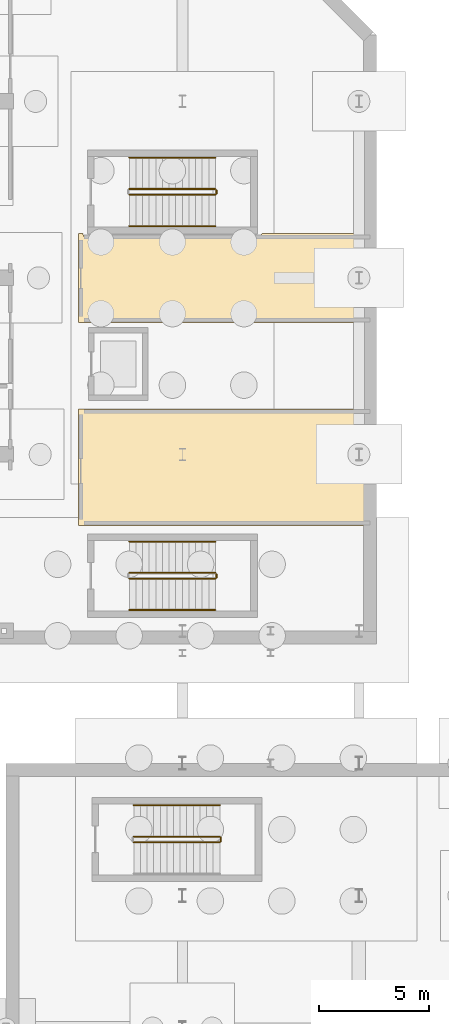
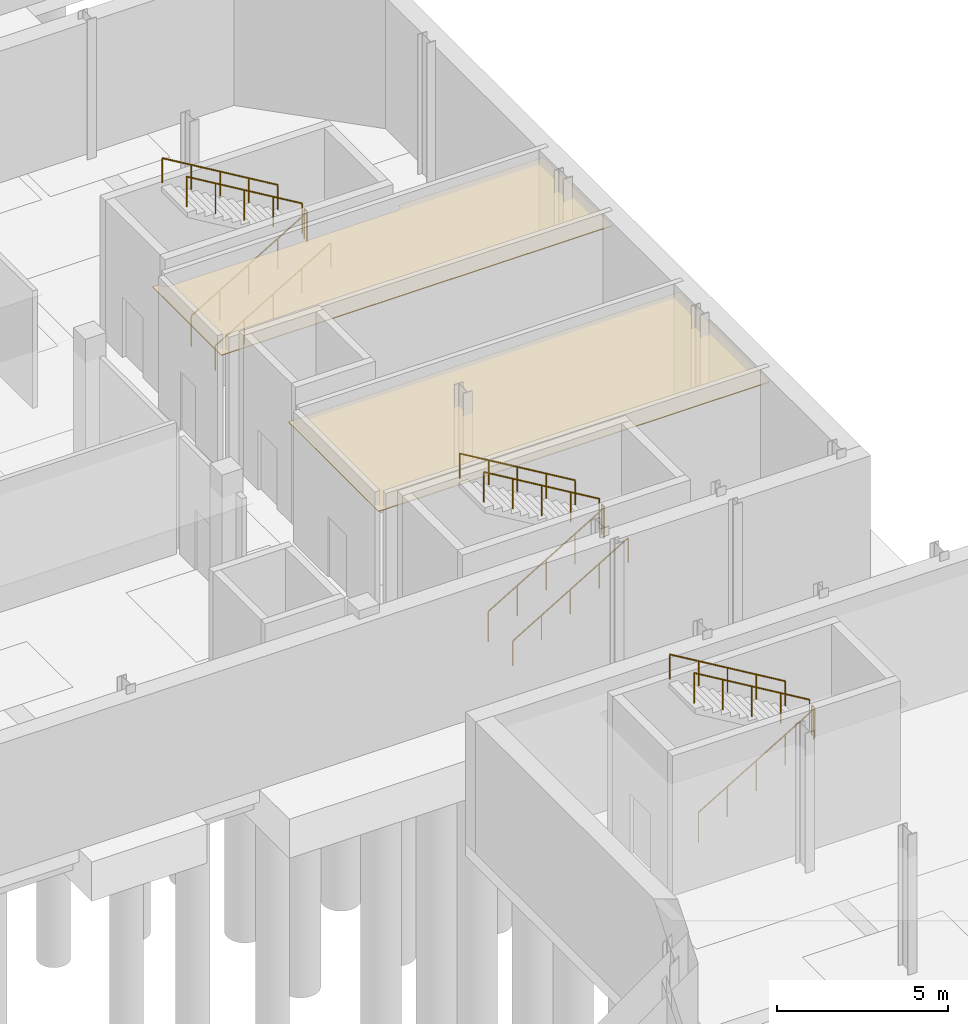
# One storey, part 37 of 47: 14 railings, 2 coverings.
"""IFC4 building model written with IfcOpenShell, lengths in metres."""

from ifc_helpers import new_model, si_unit, direction, frame, origin, origin_2d, place, context, subcontext, project, spatial, polyline, circle, outline, extrude, material, layer, layer_set, type_object, element, save


model = new_model("IFC4")

# Units and contexts
model_context = context("Model", 3, precision=1e-05, world=origin(), true_north=direction((0.0, 1.0)))
body_context = subcontext(model_context, "Body", "Model", "MODEL_VIEW")
ifc_project = project(units=[si_unit("LENGTHUNIT", "METRE"), si_unit("AREAUNIT", "SQUARE_METRE"), si_unit("VOLUMEUNIT", "CUBIC_METRE"), si_unit("PLANEANGLEUNIT", "RADIAN"), si_unit("MASSUNIT", "GRAM", prefix="KILO")], contexts=[model_context])

# Site, building, storey
site_placement = place(None, origin())
site = spatial("IfcSite", under=ifc_project, at=site_placement, CompositionType="ELEMENT")
building_placement = place(site_placement, origin())
building = spatial("IfcBuilding", under=site, at=building_placement, Name="Cymarion Research Institute", CompositionType="ELEMENT")
storey_placement = place(building_placement, frame((0.0, 0.0, -5.0)))
storey = spatial("IfcBuildingStorey", under=building, at=storey_placement, Name="B1", CompositionType="ELEMENT", Elevation=-5.0)

# Coverings
ifc_material_1 = material(Name="Micro-perforated mineral acoustic ceiling tile", Category="gypsum")
ifc_layer = layer(ifc_material_1, 0.030029296875)
ifc_layer_set = layer_set([ifc_layer], Name="Micro-perforated mineral acoustic ceiling tile")
covering_type = type_object("IfcCoveringType", Name="ACOUSTIC MICRO-PERFORATED SUSPENDED CEILING CLG-01", PredefinedType="CEILING", material=ifc_layer_set)
covering_1_placement = place(storey_placement, frame((0.0, 0.0, 4.14990234375)))
element("IfcCovering", 1, at=covering_1_placement, inside=storey, type_object=covering_type, Name="B1 B1 Gas Cabinet & Thin-Film Deposition Laboratory acoustic ceiling", PredefinedType="CEILING", context=body_context, shape_type="SweptSolid", body=[
    extrude(outline(polyline([(47.094970703125, 57.56494140625), (47.094970703125, 52.284912109375), (33.885009765625, 52.284912109375), (33.885009765625, 57.56494140625), (47.094970703125, 57.56494140625)])), origin(), (0.0, 0.0, 1.0), 0.030029296875),
])
covering_2_placement = place(storey_placement, frame((0.0, 0.0, 4.14990234375)))
element("IfcCovering", 2, at=covering_2_placement, inside=storey, type_object=covering_type, Name="B1 B1 Accessible WC and Cleanroom Staff Washrooms acoustic ceiling", PredefinedType="CEILING", context=body_context, shape_type="SweptSolid", body=[
    extrude(outline(polyline([(34.10009765625, 65.514892578125), (34.10009765625, 65.5), (34.10107421875, 65.48046875), (34.103759765625, 65.4609375), (34.108642578125, 65.44189453125), (34.115234375, 65.423583984375), (34.12353515625, 65.40576171875), (34.1337890625, 65.388916015625), (34.1455078125, 65.373046875), (34.15869140625, 65.358642578125), (34.173095703125, 65.345458984375), (34.18896484375, 65.333740234375), (34.205810546875, 65.323486328125), (34.223388671875, 65.315185546875), (34.241943359375, 65.30859375), (34.260986328125, 65.3037109375), (34.280517578125, 65.301025390625), (34.300048828125, 65.300048828125), (42.0, 65.300048828125), (42.01953125, 65.301025390625), (42.0390625, 65.3037109375), (42.05810546875, 65.30859375), (42.076416015625, 65.315185546875), (42.09423828125, 65.323486328125), (42.111083984375, 65.333740234375), (42.126953125, 65.345458984375), (42.141357421875, 65.358642578125), (42.154541015625, 65.373046875), (42.166259765625, 65.388916015625), (42.176513671875, 65.40576171875), (42.184814453125, 65.423583984375), (42.19140625, 65.44189453125), (42.1962890625, 65.4609375), (42.198974609375, 65.48046875), (42.199951171875, 65.5), (42.199951171875, 65.514892578125), (47.094970703125, 65.514892578125), (47.094970703125, 61.485107421875), (33.885009765625, 61.485107421875), (33.885009765625, 65.514892578125), (34.10009765625, 65.514892578125)])), origin(), (0.0, 0.0, 1.0), 0.030029296875),
])

# Railings
ifc_material_2 = material(Name="Steel S355", Category="steel")
railing_type_1 = type_object("IfcRailingType", Name="PAINTED STEEL STAIR GUARDRAIL GR1 1100MM", PredefinedType="GUARDRAIL", material=ifc_material_2)
railing_1_placement = place(storey_placement, frame((36.39990234375, 37.919921875, 0.178466796875)))
element("IfcRailing", 3, at=railing_1_placement, inside=storey, type_object=railing_type_1, Name="B1 ST6 stair guard 1", PredefinedType="GUARDRAIL", context=body_context, shape_type="SweptSolid", body=[
    extrude(circle(Radius=0.02392578125, at=origin_2d()), frame((0.0, 0.0, 1.076171875), z_axis=(0.859291195736, 0.0, 0.511486696729), x_axis=(0.0, 1.0, 0.0)), (0.0, 0.0, 1.0), 4.538818359375),
    extrude(circle(Radius=0.02099609375, at=origin_2d()), origin(), (0.0, 0.0, 1.0), 1.052001953125),
    extrude(circle(Radius=0.02099609375, at=origin_2d()), frame((0.97509765625, 0.0, 0.580322265625)), (0.0, 0.0, 1.0), 1.052001953125),
    extrude(circle(Radius=0.02099609375, at=origin_2d()), frame((1.9501953125, 0.0, 1.16064453125)), (0.0, 0.0, 1.0), 1.052001953125),
    extrude(circle(Radius=0.02099609375, at=origin_2d()), frame((2.925048828125, 0.0, 1.7412109375)), (0.0, 0.0, 1.0), 1.052001953125),
    extrude(circle(Radius=0.02099609375, at=origin_2d()), frame((3.900146484375, 0.0, 2.321533203125)), (0.0, 0.0, 1.0), 1.052001953125),
])
railing_2_placement = place(storey_placement, frame((40.35009765625, 37.969970703125, 2.5)))
element("IfcRailing", 4, at=railing_2_placement, inside=storey, type_object=railing_type_1, Name="B1 ST6 stair guard 2", PredefinedType="GUARDRAIL", context=body_context, shape_type="SweptSolid", body=[
    extrude(circle(Radius=0.02392578125, at=origin_2d()), frame((0.0, 0.0, 1.076171875), z_axis=(0.0, 1.0, 0.0), x_axis=(-1.0, 0.0, 0.0)), (0.0, 0.0, 1.0), 0.159912109375),
    extrude(circle(Radius=0.02099609375, at=origin_2d()), origin(), (0.0, 0.0, 1.0), 1.052001953125),
    extrude(circle(Radius=0.02099609375, at=origin_2d()), frame((0.0, 0.159912109375, 0.0)), (0.0, 0.0, 1.0), 1.052001953125),
])
railing_3_placement = place(storey_placement, frame((40.300048828125, 38.179931640625, 2.678466796875)))
element("IfcRailing", 5, at=railing_3_placement, inside=storey, type_object=railing_type_1, Name="B1 ST6 stair guard 3", PredefinedType="GUARDRAIL", context=body_context, shape_type="SweptSolid", body=[
    extrude(circle(Radius=0.02392578125, at=origin_2d()), frame((0.0, 0.0, 1.076171875), z_axis=(-0.859291195736, 0.0, 0.511486696729), x_axis=(0.0, -1.0, 0.0)), (0.0, 0.0, 1.0), 4.538818359375),
    extrude(circle(Radius=0.02099609375, at=origin_2d()), origin(), (0.0, 0.0, 1.0), 1.052001953125),
    extrude(circle(Radius=0.02099609375, at=origin_2d()), frame((-0.97509765625, 0.0, 0.580322265625)), (0.0, 0.0, 1.0), 1.052001953125),
    extrude(circle(Radius=0.02099609375, at=origin_2d()), frame((-1.9501953125, 0.0, 1.16064453125)), (0.0, 0.0, 1.0), 1.052001953125),
    extrude(circle(Radius=0.02099609375, at=origin_2d()), frame((-2.925048828125, 0.0, 1.7412109375)), (0.0, 0.0, 1.0), 1.052001953125),
    extrude(circle(Radius=0.02099609375, at=origin_2d()), frame((-3.900146484375, 0.0, 2.321533203125)), (0.0, 0.0, 1.0), 1.052001953125),
])
railing_4_placement = place(storey_placement, frame((36.199951171875, 49.8701171875, 0.178466796875)))
element("IfcRailing", 6, at=railing_4_placement, inside=storey, type_object=railing_type_1, Name="B1 ST7 stair guard 1", PredefinedType="GUARDRAIL", context=body_context, shape_type="SweptSolid", body=[
    extrude(circle(Radius=0.02392578125, at=origin_2d()), frame((0.0, 0.0, 1.076171875), z_axis=(0.859291195736, 0.0, 0.511486696729), x_axis=(0.0, 1.0, 0.0)), (0.0, 0.0, 1.0), 4.538818359375),
    extrude(circle(Radius=0.02099609375, at=origin_2d()), origin(), (0.0, 0.0, 1.0), 1.052001953125),
    extrude(circle(Radius=0.02099609375, at=origin_2d()), frame((0.97509765625, 0.0, 0.580322265625)), (0.0, 0.0, 1.0), 1.052001953125),
    extrude(circle(Radius=0.02099609375, at=origin_2d()), frame((1.9501953125, 0.0, 1.16064453125)), (0.0, 0.0, 1.0), 1.052001953125),
    extrude(circle(Radius=0.02099609375, at=origin_2d()), frame((2.925048828125, 0.0, 1.7412109375)), (0.0, 0.0, 1.0), 1.052001953125),
    extrude(circle(Radius=0.02099609375, at=origin_2d()), frame((3.900146484375, 0.0, 2.321533203125)), (0.0, 0.0, 1.0), 1.052001953125),
])
railing_5_placement = place(storey_placement, frame((40.14990234375, 49.919921875, 2.5)))
element("IfcRailing", 7, at=railing_5_placement, inside=storey, type_object=railing_type_1, Name="B1 ST7 stair guard 2", PredefinedType="GUARDRAIL", context=body_context, shape_type="SweptSolid", body=[
    extrude(circle(Radius=0.02392578125, at=origin_2d()), frame((0.0, 0.0, 1.076171875), z_axis=(0.0, 1.0, 0.0), x_axis=(-1.0, 0.0, 0.0)), (0.0, 0.0, 1.0), 0.16015625),
    extrude(circle(Radius=0.02099609375, at=origin_2d()), origin(), (0.0, 0.0, 1.0), 1.052001953125),
    extrude(circle(Radius=0.02099609375, at=origin_2d()), frame((0.0, 0.16015625, 0.0)), (0.0, 0.0, 1.0), 1.052001953125),
])
railing_6_placement = place(storey_placement, frame((40.10009765625, 50.1298828125, 2.678466796875)))
element("IfcRailing", 8, at=railing_6_placement, inside=storey, type_object=railing_type_1, Name="B1 ST7 stair guard 3", PredefinedType="GUARDRAIL", context=body_context, shape_type="SweptSolid", body=[
    extrude(circle(Radius=0.02392578125, at=origin_2d()), frame((0.0, 0.0, 1.076171875), z_axis=(-0.859291195736, 0.0, 0.511486696729), x_axis=(0.0, -1.0, 0.0)), (0.0, 0.0, 1.0), 4.538818359375),
    extrude(circle(Radius=0.02099609375, at=origin_2d()), origin(), (0.0, 0.0, 1.0), 1.052001953125),
    extrude(circle(Radius=0.02099609375, at=origin_2d()), frame((-0.97509765625, 0.0, 0.580322265625)), (0.0, 0.0, 1.0), 1.052001953125),
    extrude(circle(Radius=0.02099609375, at=origin_2d()), frame((-1.9501953125, 0.0, 1.16064453125)), (0.0, 0.0, 1.0), 1.052001953125),
    extrude(circle(Radius=0.02099609375, at=origin_2d()), frame((-2.925048828125, 0.0, 1.7412109375)), (0.0, 0.0, 1.0), 1.052001953125),
    extrude(circle(Radius=0.02099609375, at=origin_2d()), frame((-3.900146484375, 0.0, 2.321533203125)), (0.0, 0.0, 1.0), 1.052001953125),
])
railing_7_placement = place(storey_placement, frame((36.199951171875, 67.27001953125, 0.178466796875)))
element("IfcRailing", 9, at=railing_7_placement, inside=storey, type_object=railing_type_1, Name="B1 ST8 stair guard 1", PredefinedType="GUARDRAIL", context=body_context, shape_type="SweptSolid", body=[
    extrude(circle(Radius=0.02392578125, at=origin_2d()), frame((0.0, 0.0, 1.076171875), z_axis=(0.859291195736, 0.0, 0.511486696729), x_axis=(0.0, 1.0, 0.0)), (0.0, 0.0, 1.0), 4.538818359375),
    extrude(circle(Radius=0.02099609375, at=origin_2d()), origin(), (0.0, 0.0, 1.0), 1.052001953125),
    extrude(circle(Radius=0.02099609375, at=origin_2d()), frame((0.97509765625, 0.0, 0.580322265625)), (0.0, 0.0, 1.0), 1.052001953125),
    extrude(circle(Radius=0.02099609375, at=origin_2d()), frame((1.9501953125, 0.0, 1.16064453125)), (0.0, 0.0, 1.0), 1.052001953125),
    extrude(circle(Radius=0.02099609375, at=origin_2d()), frame((2.925048828125, 0.0, 1.7412109375)), (0.0, 0.0, 1.0), 1.052001953125),
    extrude(circle(Radius=0.02099609375, at=origin_2d()), frame((3.900146484375, 0.0, 2.321533203125)), (0.0, 0.0, 1.0), 1.052001953125),
])
railing_8_placement = place(storey_placement, frame((40.14990234375, 67.320068359375, 2.5)))
element("IfcRailing", 10, at=railing_8_placement, inside=storey, type_object=railing_type_1, Name="B1 ST8 stair guard 2", PredefinedType="GUARDRAIL", context=body_context, shape_type="SweptSolid", body=[
    extrude(circle(Radius=0.02392578125, at=origin_2d()), frame((0.0, 0.0, 1.076171875), z_axis=(0.0, 1.0, 0.0), x_axis=(-1.0, 0.0, 0.0)), (0.0, 0.0, 1.0), 0.159912109375),
    extrude(circle(Radius=0.02099609375, at=origin_2d()), origin(), (0.0, 0.0, 1.0), 1.052001953125),
    extrude(circle(Radius=0.02099609375, at=origin_2d()), frame((0.0, 0.159912109375, 0.0)), (0.0, 0.0, 1.0), 1.052001953125),
])
railing_9_placement = place(storey_placement, frame((40.10009765625, 67.530029296875, 2.678466796875)))
element("IfcRailing", 11, at=railing_9_placement, inside=storey, type_object=railing_type_1, Name="B1 ST8 stair guard 3", PredefinedType="GUARDRAIL", context=body_context, shape_type="SweptSolid", body=[
    extrude(circle(Radius=0.02392578125, at=origin_2d()), frame((0.0, 0.0, 1.076171875), z_axis=(-0.859291195736, 0.0, 0.511486696729), x_axis=(0.0, -1.0, 0.0)), (0.0, 0.0, 1.0), 4.538818359375),
    extrude(circle(Radius=0.02099609375, at=origin_2d()), origin(), (0.0, 0.0, 1.0), 1.052001953125),
    extrude(circle(Radius=0.02099609375, at=origin_2d()), frame((-0.97509765625, 0.0, 0.580322265625)), (0.0, 0.0, 1.0), 1.052001953125),
    extrude(circle(Radius=0.02099609375, at=origin_2d()), frame((-1.9501953125, 0.0, 1.16064453125)), (0.0, 0.0, 1.0), 1.052001953125),
    extrude(circle(Radius=0.02099609375, at=origin_2d()), frame((-2.925048828125, 0.0, 1.7412109375)), (0.0, 0.0, 1.0), 1.052001953125),
    extrude(circle(Radius=0.02099609375, at=origin_2d()), frame((-3.900146484375, 0.0, 2.321533203125)), (0.0, 0.0, 1.0), 1.052001953125),
])
railing_type_2 = type_object("IfcRailingType", Name="STAINLESS STEEL STAIR HANDRAIL HR1 900MM", PredefinedType="HANDRAIL", material=ifc_material_2)
railing_10_placement = place(storey_placement, frame((40.300048828125, 39.60009765625, 2.678466796875)))
element("IfcRailing", 12, at=railing_10_placement, inside=storey, type_object=railing_type_2, Name="B1 ST6 stair handrail 2", PredefinedType="HANDRAIL", context=body_context, shape_type="SweptSolid", body=[
    extrude(circle(Radius=0.02392578125, at=origin_2d()), frame((0.0, 0.0, 0.8759765625), z_axis=(-0.859291195736, 0.0, 0.511486696729), x_axis=(0.0, -1.0, 0.0)), (0.0, 0.0, 1.0), 4.538818359375),
    extrude(circle(Radius=0.02099609375, at=origin_2d()), origin(), (0.0, 0.0, 1.0), 0.851806640625),
    extrude(circle(Radius=0.02099609375, at=origin_2d()), frame((-0.97509765625, 0.0, 0.580322265625)), (0.0, 0.0, 1.0), 0.851806640625),
    extrude(circle(Radius=0.02099609375, at=origin_2d()), frame((-1.9501953125, 0.0, 1.16064453125)), (0.0, 0.0, 1.0), 0.851806640625),
    extrude(circle(Radius=0.02099609375, at=origin_2d()), frame((-2.925048828125, 0.0, 1.7412109375)), (0.0, 0.0, 1.0), 0.851806640625),
    extrude(circle(Radius=0.02099609375, at=origin_2d()), frame((-3.900146484375, 0.0, 2.321533203125)), (0.0, 0.0, 1.0), 0.851806640625),
])
railing_11_placement = place(storey_placement, frame((36.199951171875, 48.449951171875, 0.178466796875)))
element("IfcRailing", 13, at=railing_11_placement, inside=storey, type_object=railing_type_2, Name="B1 ST7 stair handrail 1", PredefinedType="HANDRAIL", context=body_context, shape_type="SweptSolid", body=[
    extrude(circle(Radius=0.02392578125, at=origin_2d()), frame((0.0, 0.0, 0.8759765625), z_axis=(0.859291195736, 0.0, 0.511486696729), x_axis=(0.0, 1.0, 0.0)), (0.0, 0.0, 1.0), 4.538818359375),
    extrude(circle(Radius=0.02099609375, at=origin_2d()), origin(), (0.0, 0.0, 1.0), 0.851806640625),
    extrude(circle(Radius=0.02099609375, at=origin_2d()), frame((0.97509765625, 0.0, 0.580322265625)), (0.0, 0.0, 1.0), 0.851806640625),
    extrude(circle(Radius=0.02099609375, at=origin_2d()), frame((1.9501953125, 0.0, 1.16064453125)), (0.0, 0.0, 1.0), 0.851806640625),
    extrude(circle(Radius=0.02099609375, at=origin_2d()), frame((2.925048828125, 0.0, 1.7412109375)), (0.0, 0.0, 1.0), 0.851806640625),
    extrude(circle(Radius=0.02099609375, at=origin_2d()), frame((3.900146484375, 0.0, 2.321533203125)), (0.0, 0.0, 1.0), 0.851806640625),
])
railing_12_placement = place(storey_placement, frame((40.10009765625, 51.550048828125, 2.678466796875)))
element("IfcRailing", 14, at=railing_12_placement, inside=storey, type_object=railing_type_2, Name="B1 ST7 stair handrail 2", PredefinedType="HANDRAIL", context=body_context, shape_type="SweptSolid", body=[
    extrude(circle(Radius=0.02392578125, at=origin_2d()), frame((0.0, 0.0, 0.8759765625), z_axis=(-0.859291195736, 0.0, 0.511486696729), x_axis=(0.0, -1.0, 0.0)), (0.0, 0.0, 1.0), 4.538818359375),
    extrude(circle(Radius=0.02099609375, at=origin_2d()), origin(), (0.0, 0.0, 1.0), 0.851806640625),
    extrude(circle(Radius=0.02099609375, at=origin_2d()), frame((-0.97509765625, 0.0, 0.580322265625)), (0.0, 0.0, 1.0), 0.851806640625),
    extrude(circle(Radius=0.02099609375, at=origin_2d()), frame((-1.9501953125, 0.0, 1.16064453125)), (0.0, 0.0, 1.0), 0.851806640625),
    extrude(circle(Radius=0.02099609375, at=origin_2d()), frame((-2.925048828125, 0.0, 1.7412109375)), (0.0, 0.0, 1.0), 0.851806640625),
    extrude(circle(Radius=0.02099609375, at=origin_2d()), frame((-3.900146484375, 0.0, 2.321533203125)), (0.0, 0.0, 1.0), 0.851806640625),
])
railing_13_placement = place(storey_placement, frame((36.199951171875, 65.85009765625, 0.178466796875)))
element("IfcRailing", 15, at=railing_13_placement, inside=storey, type_object=railing_type_2, Name="B1 ST8 stair handrail 1", PredefinedType="HANDRAIL", context=body_context, shape_type="SweptSolid", body=[
    extrude(circle(Radius=0.02392578125, at=origin_2d()), frame((0.0, 0.0, 0.8759765625), z_axis=(0.859291195736, 0.0, 0.511486696729), x_axis=(0.0, 1.0, 0.0)), (0.0, 0.0, 1.0), 4.538818359375),
    extrude(circle(Radius=0.02099609375, at=origin_2d()), origin(), (0.0, 0.0, 1.0), 0.851806640625),
    extrude(circle(Radius=0.02099609375, at=origin_2d()), frame((0.97509765625, 0.0, 0.580322265625)), (0.0, 0.0, 1.0), 0.851806640625),
    extrude(circle(Radius=0.02099609375, at=origin_2d()), frame((1.9501953125, 0.0, 1.16064453125)), (0.0, 0.0, 1.0), 0.851806640625),
    extrude(circle(Radius=0.02099609375, at=origin_2d()), frame((2.925048828125, 0.0, 1.7412109375)), (0.0, 0.0, 1.0), 0.851806640625),
    extrude(circle(Radius=0.02099609375, at=origin_2d()), frame((3.900146484375, 0.0, 2.321533203125)), (0.0, 0.0, 1.0), 0.851806640625),
])
railing_14_placement = place(storey_placement, frame((40.10009765625, 68.949951171875, 2.678466796875)))
element("IfcRailing", 16, at=railing_14_placement, inside=storey, type_object=railing_type_2, Name="B1 ST8 stair handrail 2", PredefinedType="HANDRAIL", context=body_context, shape_type="SweptSolid", body=[
    extrude(circle(Radius=0.02392578125, at=origin_2d()), frame((0.0, 0.0, 0.8759765625), z_axis=(-0.859291195736, 0.0, 0.511486696729), x_axis=(0.0, -1.0, 0.0)), (0.0, 0.0, 1.0), 4.538818359375),
    extrude(circle(Radius=0.02099609375, at=origin_2d()), origin(), (0.0, 0.0, 1.0), 0.851806640625),
    extrude(circle(Radius=0.02099609375, at=origin_2d()), frame((-0.97509765625, 0.0, 0.580322265625)), (0.0, 0.0, 1.0), 0.851806640625),
    extrude(circle(Radius=0.02099609375, at=origin_2d()), frame((-1.9501953125, 0.0, 1.16064453125)), (0.0, 0.0, 1.0), 0.851806640625),
    extrude(circle(Radius=0.02099609375, at=origin_2d()), frame((-2.925048828125, 0.0, 1.7412109375)), (0.0, 0.0, 1.0), 0.851806640625),
    extrude(circle(Radius=0.02099609375, at=origin_2d()), frame((-3.900146484375, 0.0, 2.321533203125)), (0.0, 0.0, 1.0), 0.851806640625),
])

save(model, "model.ifc")
